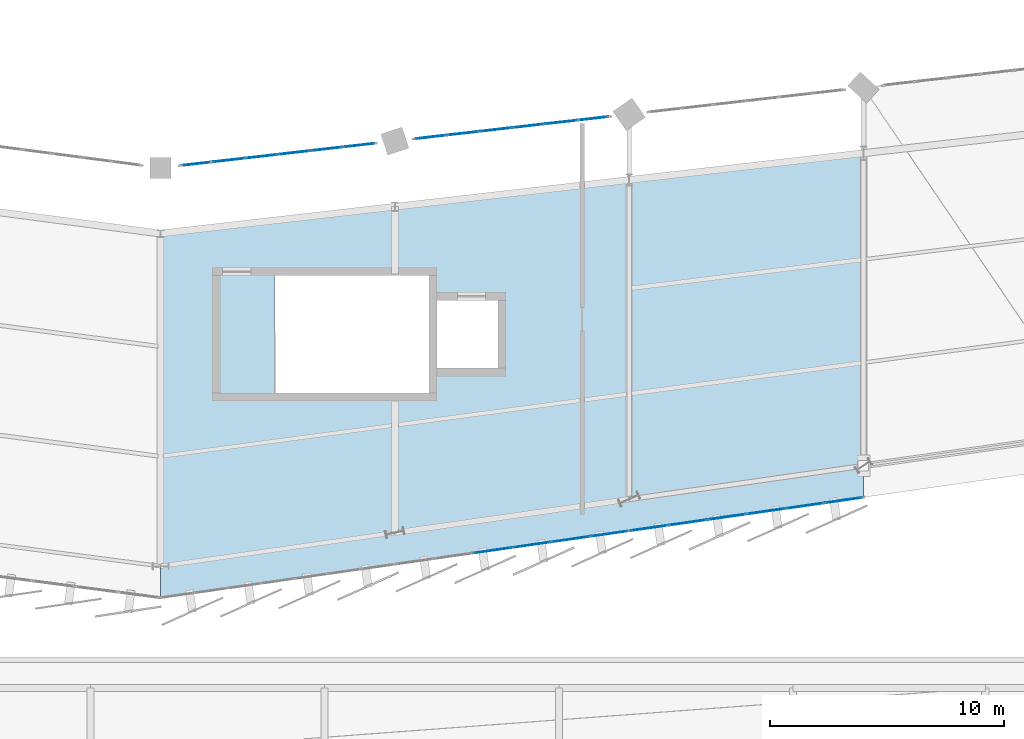
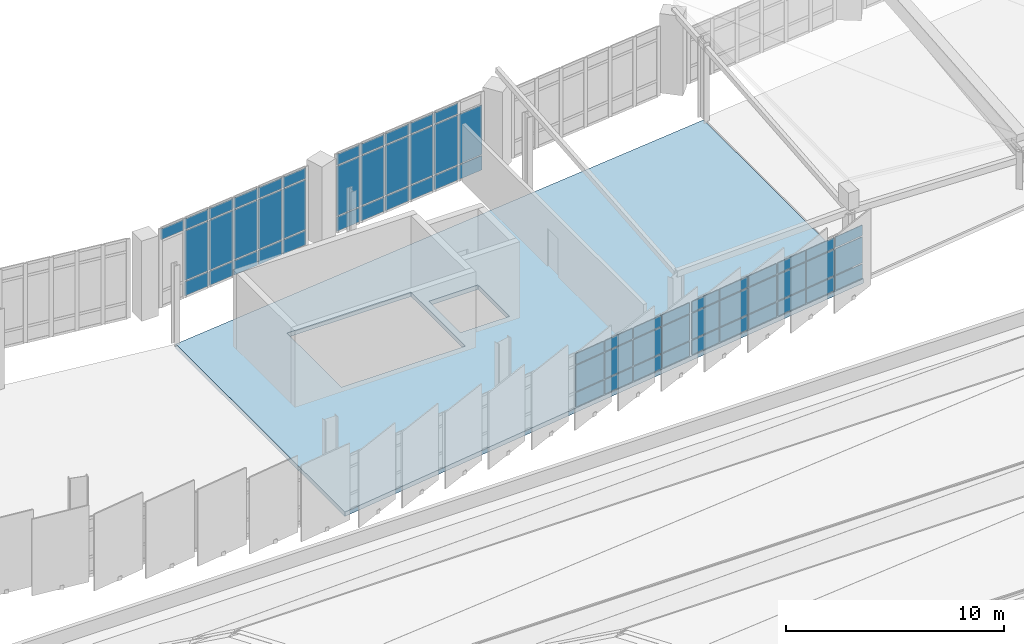
# One storey, part 49 of 67: 63 plates, 1 slab, 4 elements without a shape of their own.
"""IFC4 building model written with IfcOpenShell, lengths in metres."""

import ifcopenshell
import ifcopenshell.guid

model = None  # the IFC model being written
_history = None  # IfcOwnerHistory: only IFC2X3 demands one
_inside = {}  # id of a spatial element -> (the spatial element, [elements in it])
_under = {}  # id of a project, library or spatial element -> (it, [spatial elements below it])
_declared = {}  # id of a project -> (the project, [libraries it declares])
_typed = {}  # id of a type object -> (the type object, [elements of that type])
_made_of = {}  # id of a material, layer set ... -> (it, [elements and type objects made of it])


def new_model(schema):
    """Start an empty IFC model of exactly this schema.

    Asked for "IFC4X3", IfcOpenShell would pick the latest addendum, in which some entities
    have other attributes; the version numbers below select the first issue.
    IFC2X3 requires an IfcOwnerHistory on every rooted entity: one is made here for all.
    """
    global model, _history
    if schema == "IFC4X3":
        model = ifcopenshell.file(schema_version=(4, 3, 0, 0))
    else:
        model = ifcopenshell.file(schema=schema)
    _inside.clear()
    _under.clear()
    _declared.clear()
    _typed.clear()
    _made_of.clear()
    _history = None
    if model.schema == "IFC2X3":
        org = make("IfcOrganization", Name="unknown")
        user = make(
            "IfcPersonAndOrganization",
            ThePerson=make("IfcPerson", FamilyName="unknown"),
            TheOrganization=org,
        )
        app = make(
            "IfcApplication",
            ApplicationDeveloper=org,
            Version="unknown",
            ApplicationFullName="unknown",
            ApplicationIdentifier="unknown",
        )
        _history = make(
            "IfcOwnerHistory",
            OwningUser=user,
            OwningApplication=app,
            ChangeAction="ADDED",
            CreationDate=0,
        )
    return model


def make(cls, **values):
    """One entity of the class cls with the attributes given. An attribute that is None is left unset."""
    return model.create_entity(
        cls, **{name: value for name, value in values.items() if value is not None}
    )


def rooted(cls, **values):
    """An entity with a GlobalId (a new one), such as an element, a storey or a relation."""
    return make(cls, GlobalId=ifcopenshell.guid.new(), OwnerHistory=_history, **values)


def si_unit(unit_type, name, prefix=None):
    """IfcSIUnit, for example si_unit("LENGTHUNIT", "METRE", prefix="MILLI")."""
    return make("IfcSIUnit", UnitType=unit_type, Prefix=prefix, Name=name)


def assignment(units):
    """IfcUnitAssignment: the units of a project."""
    return None if units is None else make("IfcUnitAssignment", Units=units)


def point(xyz):
    """IfcCartesianPoint."""
    return None if xyz is None else make("IfcCartesianPoint", Coordinates=xyz)


def direction(xyz):
    """IfcDirection."""
    return None if xyz is None else make("IfcDirection", DirectionRatios=xyz)


def frame(location, z_axis=None, x_axis=None):
    """IfcAxis2Placement3D, a coordinate frame: its origin and axes. An axis left out is left unset."""
    return make(
        "IfcAxis2Placement3D",
        Location=point(location),
        Axis=direction(z_axis),
        RefDirection=direction(x_axis),
    )


def frame_2d(location, x_axis=None):
    """IfcAxis2Placement2D, a coordinate frame in the plane: its origin and x axis."""
    return make(
        "IfcAxis2Placement2D", Location=point(location), RefDirection=direction(x_axis)
    )


def origin():
    """The frame at (0, 0, 0) with its axes left unset."""
    return frame((0.0, 0.0, 0.0))


def origin_2d():
    """The frame at (0, 0) in the plane with its x axis left unset."""
    return frame_2d((0.0, 0.0))


def place(relative_to, where):
    """IfcLocalPlacement: puts the frame where relative to a parent placement (None: the world)."""
    return make(
        "IfcLocalPlacement", PlacementRelTo=relative_to, RelativePlacement=where
    )


def context(
    kind, dimensions, precision=None, world=None, true_north=None, identifier=None
):
    """IfcGeometricRepresentationContext, for example the 3D "Model" context."""
    return make(
        "IfcGeometricRepresentationContext",
        ContextIdentifier=identifier,
        ContextType=kind,
        CoordinateSpaceDimension=dimensions,
        Precision=precision,
        WorldCoordinateSystem=world,
        TrueNorth=true_north,
    )


def subcontext(parent, identifier, kind, view, scale=None):
    """IfcGeometricRepresentationSubContext, for example "Body" below "Model"."""
    return make(
        "IfcGeometricRepresentationSubContext",
        ContextIdentifier=identifier,
        ContextType=kind,
        ParentContext=parent,
        TargetScale=scale,
        TargetView=view,
    )


def project(units=None, contexts=None):
    """IfcProject with its units and contexts."""
    return rooted(
        "IfcProject",
        Name="project",
        RepresentationContexts=contexts,
        UnitsInContext=assignment(units),
    )


def spatial(cls, under=None, at=None, **own):
    """A site, building, storey or space (cls), placed at a placement, below another one or the project."""
    s = rooted(cls, ObjectPlacement=at, **own)
    if under is not None:
        _under.setdefault(under.id(), (under, []))[1].append(s)
    return s


def polyline(points):
    """IfcPolyline through the points."""
    return make("IfcPolyline", Points=[point(p) for p in points])


def profile(cls, at=None, kind="AREA", **sizes):
    """A parametric profile (cls). Its sizes go by their IFC names, for example OverallWidth=200.0."""
    return make(cls, ProfileType=kind, Position=at, **sizes)


def rectangle(**sizes):
    """IfcRectangleProfileDef."""
    return profile("IfcRectangleProfileDef", **sizes)


def outline(outer, holes=None, kind="AREA"):
    """IfcArbitraryClosedProfileDef: a profile drawn as a closed curve; with holes, ...WithVoids."""
    if holes is None:
        return make("IfcArbitraryClosedProfileDef", ProfileType=kind, OuterCurve=outer)
    return make(
        "IfcArbitraryProfileDefWithVoids",
        ProfileType=kind,
        OuterCurve=outer,
        InnerCurves=holes,
    )


def extrude(swept, where, along, depth):
    """IfcExtrudedAreaSolid: the profile swept, set in the frame where, extruded along a direction by depth."""
    return make(
        "IfcExtrudedAreaSolid",
        SweptArea=swept,
        Position=where,
        ExtrudedDirection=direction(along),
        Depth=depth,
    )


def shape(context_of_items, identifier, shape_type, items):
    """IfcShapeRepresentation: the items that make up one representation, for example the "Body"."""
    return make(
        "IfcShapeRepresentation",
        ContextOfItems=context_of_items,
        RepresentationIdentifier=identifier,
        RepresentationType=shape_type,
        Items=items,
    )


def material(Name=None, Category=None):
    """IfcMaterial."""
    return make("IfcMaterial", Name=Name, Category=Category)


def layer(
    of_material, thickness, ventilated=None, Name=None, Category=None, Priority=None
):
    """IfcMaterialLayer: one layer of a wall or slab, of a material (None: an air gap)."""
    return make(
        "IfcMaterialLayer",
        Material=of_material,
        LayerThickness=thickness,
        IsVentilated=ventilated,
        Name=Name,
        Category=Category,
        Priority=Priority,
    )


def layer_set(layers, Name=None):
    """IfcMaterialLayerSet."""
    return make("IfcMaterialLayerSet", MaterialLayers=layers, LayerSetName=Name)


def made_of(thing, what):
    """Note that an element or type object is made of a material, layer set ...; save() writes the relation."""
    if what is not None:
        _made_of.setdefault(what.id(), (what, []))[1].append(thing)
    return thing


def type_object(cls, material=None, **own):
    """A type object (cls), such as IfcWallType, which elements share."""
    return made_of(rooted(cls, **own), material)


def element(
    cls,
    number,
    at=None,
    inside=None,
    cuts=None,
    type_object=None,
    material=None,
    context=None,
    identifier="Body",
    shape_type=None,
    held_by="IfcProductDefinitionShape",
    body=None,
    shapes=None,
    **own,
):
    """One element of the class cls, such as IfcWall. Its Tag is "e" and its number.

    at: its placement. inside: the storey or other place that contains it. cuts: it is an
    opening in that element (IfcRelVoidsElement). A single representation is given by context,
    identifier, shape_type and body (its items); several are given by shapes. held_by: the class
    of the entity that holds the representations. save() writes the other relations.
    """
    e = rooted(cls, Tag="e%d" % number, ObjectPlacement=at, **own)
    if body is not None:
        shapes = [shape(context, identifier, shape_type, body)]
    if shapes is not None:
        e.Representation = make(held_by, Representations=shapes)
    if inside is not None:
        _inside.setdefault(inside.id(), (inside, []))[1].append(e)
    if cuts is not None:
        rooted(
            "IfcRelVoidsElement", RelatingBuildingElement=cuts, RelatedOpeningElement=e
        )
    if type_object is not None:
        _typed.setdefault(type_object.id(), (type_object, []))[1].append(e)
    return made_of(e, material)


def aggregate(whole, parts):
    """IfcRelAggregates: a whole, such as a stair, and the parts it consists of."""
    return rooted("IfcRelAggregates", RelatingObject=whole, RelatedObjects=parts)


def save(model, path):
    """Write the relations noted so far, then the file.

    IfcRelAggregates (storeys below a building ...), IfcRelContainedInSpatialStructure (elements
    in a storey), IfcRelDefinesByType, IfcRelAssociatesMaterial and IfcRelDeclares: one each for
    every whole, place, type object, material and project.
    """
    for whole, parts in _under.values():
        aggregate(whole, parts)
    for where, things in _inside.values():
        rooted(
            "IfcRelContainedInSpatialStructure",
            RelatedElements=things,
            RelatingStructure=where,
        )
    for kind, things in _typed.values():
        rooted("IfcRelDefinesByType", RelatedObjects=things, RelatingType=kind)
    for what, things in _made_of.values():
        rooted("IfcRelAssociatesMaterial", RelatedObjects=things, RelatingMaterial=what)
    for by, libraries in _declared.values():
        rooted("IfcRelDeclares", RelatingContext=by, RelatedDefinitions=libraries)
    model.write(path)


model = new_model("IFC4")

# Units and contexts
model_context = context("Model", 3, precision=1e-05, world=origin(), true_north=direction((0.0, 1.0)))
body_context = subcontext(model_context, "Body", "Model", "MODEL_VIEW")
ifc_project = project(units=[si_unit("LENGTHUNIT", "METRE"), si_unit("AREAUNIT", "SQUARE_METRE"), si_unit("VOLUMEUNIT", "CUBIC_METRE"), si_unit("PLANEANGLEUNIT", "RADIAN"), si_unit("MASSUNIT", "GRAM", prefix="KILO")], contexts=[model_context])

# Site, building, storey
site_placement = place(None, origin())
site = spatial("IfcSite", under=ifc_project, at=site_placement, CompositionType="ELEMENT")
building_placement = place(site_placement, origin())
building = spatial("IfcBuilding", under=site, at=building_placement, Name="Sohan Crest Arena", CompositionType="ELEMENT")
storey_placement = place(building_placement, frame((0.0, 0.0, 22.5)))
storey = spatial("IfcBuildingStorey", under=building, at=storey_placement, Name="L05", CompositionType="ELEMENT", Elevation=22.5)

# Curtain wall, plates
ifc_material_1 = material(Name="Thermally broken anodised aluminium", Category="aluminium")
ifc_layer_1 = layer(ifc_material_1, 0.199951171875, Name="Thermally broken anodised aluminium")
ifc_layer_set_1 = layer_set([ifc_layer_1], Name="Thermally broken anodised aluminium")
curtain_wall_type_1 = type_object("IfcCurtainWallType", Name="ARC-CW02", PredefinedType="NOTDEFINED", material=ifc_layer_set_1)
curtain_wall_1_placement = place(storey_placement, origin())
curtain_wall_1 = element("IfcCurtainWall", 1, at=curtain_wall_1_placement, inside=storey, type_object=curtain_wall_type_1, Name="Unitised curtain wall CW-159", PredefinedType="NOTDEFINED")
ifc_material_2 = material(Name="Low-E double-glazed insulated glass", Category="glass")
ifc_layer_2 = layer(ifc_material_2, 0.031982421875, Name="Low-E double-glazed insulated glass")
ifc_layer_set_2 = layer_set([ifc_layer_2], Name="Low-E double-glazed insulated glass")
plate_type_1 = type_object("IfcPlateType", Name="ARC-CNP02", PredefinedType="CURTAIN_PANEL", material=ifc_layer_set_2)
plate_1_placement = place(storey_placement, frame((112.166748046875, 30.674072265625, 0.06494140625), z_axis=(0.0, 0.0, 1.0), x_axis=(0.989957411768, 0.141365918403, 0.0)))
plate_1 = element("IfcPlate", 2, at=plate_1_placement, type_object=plate_type_1, Name="CW-159 panel 3.1", PredefinedType="CURTAIN_PANEL", context=body_context, shape_type="SweptSolid", body=[
    extrude(rectangle(XDim=1.61865234375, YDim=0.031982421875, at=origin_2d()), origin(), (0.0, 0.0, 1.0), 0.802490234375),
])
plate_2_placement = place(storey_placement, frame((112.166748046875, 30.674072265625, 0.932373046875), z_axis=(0.0, 0.0, 1.0), x_axis=(0.989957411768, 0.141365918403, 0.0)))
plate_2 = element("IfcPlate", 3, at=plate_2_placement, type_object=plate_type_1, Name="CW-159 panel 3.2", PredefinedType="CURTAIN_PANEL", context=body_context, shape_type="SweptSolid", body=[
    extrude(rectangle(XDim=1.61865234375, YDim=0.031982421875, at=origin_2d()), origin(), (0.0, 0.0, 1.0), 1.455078125),
])
plate_3_placement = place(storey_placement, frame((112.166748046875, 30.674072265625, 2.452392578125), z_axis=(0.0, 0.0, 1.0), x_axis=(0.989957411768, 0.141365918403, 0.0)))
plate_3 = element("IfcPlate", 4, at=plate_3_placement, type_object=plate_type_1, Name="CW-159 panel 3.3", PredefinedType="CURTAIN_PANEL", context=body_context, shape_type="SweptSolid", body=[
    extrude(rectangle(XDim=1.61865234375, YDim=0.031982421875, at=origin_2d()), origin(), (0.0, 0.0, 1.0), 0.6025390625),
])
plate_4_placement = place(storey_placement, frame((113.833251953125, 30.912109375, 0.06494140625), z_axis=(0.0, 0.0, 1.0), x_axis=(0.989957411768, 0.141365918403, 0.0)))
plate_4 = element("IfcPlate", 5, at=plate_4_placement, type_object=plate_type_1, Name="CW-159 panel 4.1", PredefinedType="CURTAIN_PANEL", context=body_context, shape_type="SweptSolid", body=[
    extrude(rectangle(XDim=1.61865234375, YDim=0.031982421875, at=origin_2d()), origin(), (0.0, 0.0, 1.0), 0.802490234375),
])
plate_5_placement = place(storey_placement, frame((113.833251953125, 30.912109375, 0.932373046875), z_axis=(0.0, 0.0, 1.0), x_axis=(0.989957411768, 0.141365918403, 0.0)))
plate_5 = element("IfcPlate", 6, at=plate_5_placement, type_object=plate_type_1, Name="CW-159 panel 4.2", PredefinedType="CURTAIN_PANEL", context=body_context, shape_type="SweptSolid", body=[
    extrude(rectangle(XDim=1.61865234375, YDim=0.031982421875, at=origin_2d()), origin(), (0.0, 0.0, 1.0), 1.455078125),
])
plate_6_placement = place(storey_placement, frame((113.833251953125, 30.912109375, 2.452392578125), z_axis=(0.0, 0.0, 1.0), x_axis=(0.989957411768, 0.141365918403, 0.0)))
plate_6 = element("IfcPlate", 7, at=plate_6_placement, type_object=plate_type_1, Name="CW-159 panel 4.3", PredefinedType="CURTAIN_PANEL", context=body_context, shape_type="SweptSolid", body=[
    extrude(rectangle(XDim=1.61865234375, YDim=0.031982421875, at=origin_2d()), origin(), (0.0, 0.0, 1.0), 0.6025390625),
])
plate_7_placement = place(storey_placement, frame((115.5, 31.14990234375, 0.06494140625), z_axis=(0.0, 0.0, 1.0), x_axis=(0.989957411768, 0.141365918403, 0.0)))
plate_7 = element("IfcPlate", 8, at=plate_7_placement, type_object=plate_type_1, Name="CW-159 panel 5.1", PredefinedType="CURTAIN_PANEL", context=body_context, shape_type="SweptSolid", body=[
    extrude(rectangle(XDim=1.61865234375, YDim=0.031982421875, at=origin_2d()), origin(), (0.0, 0.0, 1.0), 0.802490234375),
])
plate_8_placement = place(storey_placement, frame((115.5, 31.14990234375, 0.932373046875), z_axis=(0.0, 0.0, 1.0), x_axis=(0.989957411768, 0.141365918403, 0.0)))
plate_8 = element("IfcPlate", 9, at=plate_8_placement, type_object=plate_type_1, Name="CW-159 panel 5.2", PredefinedType="CURTAIN_PANEL", context=body_context, shape_type="SweptSolid", body=[
    extrude(rectangle(XDim=1.61865234375, YDim=0.031982421875, at=origin_2d()), origin(), (0.0, 0.0, 1.0), 1.455078125),
])
plate_9_placement = place(storey_placement, frame((115.5, 31.14990234375, 2.452392578125), z_axis=(0.0, 0.0, 1.0), x_axis=(0.989957411768, 0.141365918403, 0.0)))
plate_9 = element("IfcPlate", 10, at=plate_9_placement, type_object=plate_type_1, Name="CW-159 panel 5.3", PredefinedType="CURTAIN_PANEL", context=body_context, shape_type="SweptSolid", body=[
    extrude(rectangle(XDim=1.61865234375, YDim=0.031982421875, at=origin_2d()), origin(), (0.0, 0.0, 1.0), 0.6025390625),
])
plate_10_placement = place(storey_placement, frame((117.150634765625, 31.3857421875, 0.06494140625), z_axis=(0.0, 0.0, 1.0), x_axis=(0.989957411768, 0.141365918403, 0.0)))
plate_10 = element("IfcPlate", 11, at=plate_10_placement, type_object=plate_type_1, Name="CW-159 panel 6.1", PredefinedType="CURTAIN_PANEL", context=body_context, shape_type="SweptSolid", body=[
    extrude(rectangle(XDim=1.586181640625, YDim=0.031982421875, at=origin_2d()), origin(), (0.0, 0.0, 1.0), 0.802490234375),
])
plate_11_placement = place(storey_placement, frame((117.150634765625, 31.3857421875, 0.932373046875), z_axis=(0.0, 0.0, 1.0), x_axis=(0.989957411768, 0.141365918403, 0.0)))
plate_11 = element("IfcPlate", 12, at=plate_11_placement, type_object=plate_type_1, Name="CW-159 panel 6.2", PredefinedType="CURTAIN_PANEL", context=body_context, shape_type="SweptSolid", body=[
    extrude(rectangle(XDim=1.586181640625, YDim=0.031982421875, at=origin_2d()), origin(), (0.0, 0.0, 1.0), 1.455078125),
])
plate_12_placement = place(storey_placement, frame((117.150634765625, 31.3857421875, 2.452392578125), z_axis=(0.0, 0.0, 1.0), x_axis=(0.989957411768, 0.141365918403, 0.0)))
plate_12 = element("IfcPlate", 13, at=plate_12_placement, type_object=plate_type_1, Name="CW-159 panel 6.3", PredefinedType="CURTAIN_PANEL", context=body_context, shape_type="SweptSolid", body=[
    extrude(rectangle(XDim=1.586181640625, YDim=0.031982421875, at=origin_2d()), origin(), (0.0, 0.0, 1.0), 0.6025390625),
])
aggregate(curtain_wall_1, [plate_1, plate_2, plate_3, plate_4, plate_5, plate_6, plate_7, plate_8, plate_9, plate_10, plate_11, plate_12])

ifc_layer_3 = layer(ifc_material_1, 0.219970703125, Name="Thermally broken anodised aluminium")
ifc_layer_set_3 = layer_set([ifc_layer_3], Name="Thermally broken anodised aluminium")
curtain_wall_type_2 = type_object("IfcCurtainWallType", Name="ARC-CW03", PredefinedType="NOTDEFINED", material=ifc_layer_set_3)
curtain_wall_2_placement = place(storey_placement, origin())
curtain_wall_2 = element("IfcCurtainWall", 14, at=curtain_wall_2_placement, inside=storey, type_object=curtain_wall_type_2, Name="Unitised curtain wall CW-160", PredefinedType="NOTDEFINED")
ifc_material_3 = material(Name="Ceramic-fritted solar-control insulated glass", Category="glass")
ifc_layer_4 = layer(ifc_material_3, 0.035888671875, Name="Ceramic-fritted solar-control insulated glass")
ifc_layer_set_4 = layer_set([ifc_layer_4], Name="Ceramic-fritted solar-control insulated glass")
plate_type_2 = type_object("IfcPlateType", Name="ARC-CNP03", PredefinedType="CURTAIN_PANEL", material=ifc_layer_set_4)
plate_13_placement = place(storey_placement, frame((118.8505859375, 31.628662109375, 0.070068359375), z_axis=(0.0, 0.0, 1.0), x_axis=(0.989943553128, 0.141462933734, 0.0)))
plate_13 = element("IfcPlate", 15, at=plate_13_placement, type_object=plate_type_2, Name="CW-160 panel 1.1", PredefinedType="CURTAIN_PANEL", context=body_context, shape_type="SweptSolid", body=[
    extrude(rectangle(XDim=1.57861328125, YDim=0.035888671875, at=origin_2d()), origin(), (0.0, 0.0, 1.0), 0.794921875),
])
plate_14_placement = place(storey_placement, frame((118.8505859375, 31.628662109375, 0.93505859375), z_axis=(0.0, 0.0, 1.0), x_axis=(0.989943553128, 0.141462933734, 0.0)))
plate_14 = element("IfcPlate", 16, at=plate_14_placement, type_object=plate_type_2, Name="CW-160 panel 1.2", PredefinedType="CURTAIN_PANEL", context=body_context, shape_type="SweptSolid", body=[
    extrude(rectangle(XDim=1.57861328125, YDim=0.035888671875, at=origin_2d()), origin(), (0.0, 0.0, 1.0), 1.449951171875),
])
plate_15_placement = place(storey_placement, frame((118.8505859375, 31.628662109375, 2.455078125), z_axis=(0.0, 0.0, 1.0), x_axis=(0.989943553128, 0.141462933734, 0.0)))
plate_15 = element("IfcPlate", 17, at=plate_15_placement, type_object=plate_type_2, Name="CW-160 panel 1.3", PredefinedType="CURTAIN_PANEL", context=body_context, shape_type="SweptSolid", body=[
    extrude(rectangle(XDim=1.57861328125, YDim=0.035888671875, at=origin_2d()), origin(), (0.0, 0.0, 1.0), 0.594970703125),
])
plate_16_placement = place(storey_placement, frame((120.5, 31.8642578125, 0.070068359375), z_axis=(0.0, 0.0, 1.0), x_axis=(0.989943553128, 0.141462933734, 0.0)))
plate_16 = element("IfcPlate", 18, at=plate_16_placement, type_object=plate_type_2, Name="CW-160 panel 2.1", PredefinedType="CURTAIN_PANEL", context=body_context, shape_type="SweptSolid", body=[
    extrude(rectangle(XDim=1.613525390625, YDim=0.035888671875, at=origin_2d()), origin(), (0.0, 0.0, 1.0), 0.794921875),
])
plate_17_placement = place(storey_placement, frame((120.5, 31.8642578125, 0.93505859375), z_axis=(0.0, 0.0, 1.0), x_axis=(0.989943553128, 0.141462933734, 0.0)))
plate_17 = element("IfcPlate", 19, at=plate_17_placement, type_object=plate_type_2, Name="CW-160 panel 2.2", PredefinedType="CURTAIN_PANEL", context=body_context, shape_type="SweptSolid", body=[
    extrude(rectangle(XDim=1.613525390625, YDim=0.035888671875, at=origin_2d()), origin(), (0.0, 0.0, 1.0), 1.449951171875),
])
plate_18_placement = place(storey_placement, frame((120.5, 31.8642578125, 2.455078125), z_axis=(0.0, 0.0, 1.0), x_axis=(0.989943553128, 0.141462933734, 0.0)))
plate_18 = element("IfcPlate", 20, at=plate_18_placement, type_object=plate_type_2, Name="CW-160 panel 2.3", PredefinedType="CURTAIN_PANEL", context=body_context, shape_type="SweptSolid", body=[
    extrude(rectangle(XDim=1.613525390625, YDim=0.035888671875, at=origin_2d()), origin(), (0.0, 0.0, 1.0), 0.594970703125),
])
plate_19_placement = place(storey_placement, frame((122.166748046875, 32.102294921875, 0.070068359375), z_axis=(0.0, 0.0, 1.0), x_axis=(0.989943553128, 0.141462933734, 0.0)))
plate_19 = element("IfcPlate", 21, at=plate_19_placement, type_object=plate_type_2, Name="CW-160 panel 3.1", PredefinedType="CURTAIN_PANEL", context=body_context, shape_type="SweptSolid", body=[
    extrude(rectangle(XDim=1.613525390625, YDim=0.035888671875, at=origin_2d()), origin(), (0.0, 0.0, 1.0), 0.794921875),
])
plate_20_placement = place(storey_placement, frame((122.166748046875, 32.102294921875, 0.93505859375), z_axis=(0.0, 0.0, 1.0), x_axis=(0.989943553128, 0.141462933734, 0.0)))
plate_20 = element("IfcPlate", 22, at=plate_20_placement, type_object=plate_type_2, Name="CW-160 panel 3.2", PredefinedType="CURTAIN_PANEL", context=body_context, shape_type="SweptSolid", body=[
    extrude(rectangle(XDim=1.613525390625, YDim=0.035888671875, at=origin_2d()), origin(), (0.0, 0.0, 1.0), 1.449951171875),
])
plate_21_placement = place(storey_placement, frame((122.166748046875, 32.102294921875, 2.455078125), z_axis=(0.0, 0.0, 1.0), x_axis=(0.989943553128, 0.141462933734, 0.0)))
plate_21 = element("IfcPlate", 23, at=plate_21_placement, type_object=plate_type_2, Name="CW-160 panel 3.3", PredefinedType="CURTAIN_PANEL", context=body_context, shape_type="SweptSolid", body=[
    extrude(rectangle(XDim=1.613525390625, YDim=0.035888671875, at=origin_2d()), origin(), (0.0, 0.0, 1.0), 0.594970703125),
])
plate_22_placement = place(storey_placement, frame((123.833251953125, 32.340576171875, 0.070068359375), z_axis=(0.0, 0.0, 1.0), x_axis=(0.989943553128, 0.141462933734, 0.0)))
plate_22 = element("IfcPlate", 24, at=plate_22_placement, type_object=plate_type_2, Name="CW-160 panel 4.1", PredefinedType="CURTAIN_PANEL", context=body_context, shape_type="SweptSolid", body=[
    extrude(rectangle(XDim=1.613525390625, YDim=0.035888671875, at=origin_2d()), origin(), (0.0, 0.0, 1.0), 0.794921875),
])
plate_23_placement = place(storey_placement, frame((123.833251953125, 32.340576171875, 0.93505859375), z_axis=(0.0, 0.0, 1.0), x_axis=(0.989943553128, 0.141462933734, 0.0)))
plate_23 = element("IfcPlate", 25, at=plate_23_placement, type_object=plate_type_2, Name="CW-160 panel 4.2", PredefinedType="CURTAIN_PANEL", context=body_context, shape_type="SweptSolid", body=[
    extrude(rectangle(XDim=1.613525390625, YDim=0.035888671875, at=origin_2d()), origin(), (0.0, 0.0, 1.0), 1.449951171875),
])
plate_24_placement = place(storey_placement, frame((123.833251953125, 32.340576171875, 2.455078125), z_axis=(0.0, 0.0, 1.0), x_axis=(0.989943553128, 0.141462933734, 0.0)))
plate_24 = element("IfcPlate", 26, at=plate_24_placement, type_object=plate_type_2, Name="CW-160 panel 4.3", PredefinedType="CURTAIN_PANEL", context=body_context, shape_type="SweptSolid", body=[
    extrude(rectangle(XDim=1.613525390625, YDim=0.035888671875, at=origin_2d()), origin(), (0.0, 0.0, 1.0), 0.594970703125),
])
plate_25_placement = place(storey_placement, frame((125.5, 32.578857421875, 0.070068359375), z_axis=(0.0, 0.0, 1.0), x_axis=(0.989943553128, 0.141462933734, 0.0)))
plate_25 = element("IfcPlate", 27, at=plate_25_placement, type_object=plate_type_2, Name="CW-160 panel 5.1", PredefinedType="CURTAIN_PANEL", context=body_context, shape_type="SweptSolid", body=[
    extrude(rectangle(XDim=1.613525390625, YDim=0.035888671875, at=origin_2d()), origin(), (0.0, 0.0, 1.0), 0.794921875),
])
plate_26_placement = place(storey_placement, frame((125.5, 32.578857421875, 0.93505859375), z_axis=(0.0, 0.0, 1.0), x_axis=(0.989943553128, 0.141462933734, 0.0)))
plate_26 = element("IfcPlate", 28, at=plate_26_placement, type_object=plate_type_2, Name="CW-160 panel 5.2", PredefinedType="CURTAIN_PANEL", context=body_context, shape_type="SweptSolid", body=[
    extrude(rectangle(XDim=1.613525390625, YDim=0.035888671875, at=origin_2d()), origin(), (0.0, 0.0, 1.0), 1.449951171875),
])
plate_27_placement = place(storey_placement, frame((125.5, 32.578857421875, 2.455078125), z_axis=(0.0, 0.0, 1.0), x_axis=(0.989943553128, 0.141462933734, 0.0)))
plate_27 = element("IfcPlate", 29, at=plate_27_placement, type_object=plate_type_2, Name="CW-160 panel 5.3", PredefinedType="CURTAIN_PANEL", context=body_context, shape_type="SweptSolid", body=[
    extrude(rectangle(XDim=1.613525390625, YDim=0.035888671875, at=origin_2d()), origin(), (0.0, 0.0, 1.0), 0.594970703125),
])
plate_28_placement = place(storey_placement, frame((127.1494140625, 32.814453125, 0.070068359375), z_axis=(0.0, 0.0, 1.0), x_axis=(0.989943553128, 0.141462933734, 0.0)))
plate_28 = element("IfcPlate", 30, at=plate_28_placement, type_object=plate_type_2, Name="CW-160 panel 6.1", PredefinedType="CURTAIN_PANEL", context=body_context, shape_type="SweptSolid", body=[
    extrude(rectangle(XDim=1.57861328125, YDim=0.035888671875, at=origin_2d()), origin(), (0.0, 0.0, 1.0), 0.794921875),
])
plate_29_placement = place(storey_placement, frame((127.1494140625, 32.814453125, 0.93505859375), z_axis=(0.0, 0.0, 1.0), x_axis=(0.989943553128, 0.141462933734, 0.0)))
plate_29 = element("IfcPlate", 31, at=plate_29_placement, type_object=plate_type_2, Name="CW-160 panel 6.2", PredefinedType="CURTAIN_PANEL", context=body_context, shape_type="SweptSolid", body=[
    extrude(rectangle(XDim=1.57861328125, YDim=0.035888671875, at=origin_2d()), origin(), (0.0, 0.0, 1.0), 1.449951171875),
])
plate_30_placement = place(storey_placement, frame((127.1494140625, 32.814453125, 2.455078125), z_axis=(0.0, 0.0, 1.0), x_axis=(0.989943553128, 0.141462933734, 0.0)))
plate_30 = element("IfcPlate", 32, at=plate_30_placement, type_object=plate_type_2, Name="CW-160 panel 6.3", PredefinedType="CURTAIN_PANEL", context=body_context, shape_type="SweptSolid", body=[
    extrude(rectangle(XDim=1.57861328125, YDim=0.035888671875, at=origin_2d()), origin(), (0.0, 0.0, 1.0), 0.594970703125),
])
aggregate(curtain_wall_2, [plate_13, plate_14, plate_15, plate_16, plate_17, plate_18, plate_19, plate_20, plate_21, plate_22, plate_23, plate_24, plate_25, plate_26, plate_27, plate_28, plate_29, plate_30])

ifc_layer_5 = layer(ifc_material_1, 0.18994140625, Name="Thermally broken anodised aluminium")
ifc_layer_set_5 = layer_set([ifc_layer_5], Name="Thermally broken anodised aluminium")
curtain_wall_type_3 = type_object("IfcCurtainWallType", Name="ARC-CW05", PredefinedType="NOTDEFINED", material=ifc_layer_set_5)
curtain_wall_3_placement = place(storey_placement, origin())
curtain_wall_3 = element("IfcCurtainWall", 33, at=curtain_wall_3_placement, inside=storey, type_object=curtain_wall_type_3, Name="Unitised curtain wall CW-188", PredefinedType="NOTDEFINED")
plate_31_placement = place(storey_placement, frame((99.52978515625, 47.1748046875, 3.782470703125), z_axis=(0.0, 0.0, 1.0), x_axis=(0.993526932422, 0.11359680696, 0.0)))
plate_31 = element("IfcPlate", 34, at=plate_31_placement, type_object=plate_type_2, Name="CW-188 panel 1.3", PredefinedType="CURTAIN_PANEL", context=body_context, shape_type="SweptSolid", body=[
    extrude(rectangle(XDim=1.299072265625, YDim=0.035888671875, at=origin_2d()), origin(), (0.0, 0.0, 1.0), 0.6025390625),
])
plate_32_placement = place(storey_placement, frame((100.907470703125, 47.332275390625, 0.06494140625), z_axis=(0.0, 0.0, 1.0), x_axis=(0.993526932422, 0.11359680696, 0.0)))
plate_32 = element("IfcPlate", 35, at=plate_32_placement, type_object=plate_type_2, Name="CW-188 panel 2.1", PredefinedType="CURTAIN_PANEL", context=body_context, shape_type="SweptSolid", body=[
    extrude(rectangle(XDim=1.333984375, YDim=0.035888671875, at=origin_2d()), origin(), (0.0, 0.0, 1.0), 0.802490234375),
])
plate_33_placement = place(storey_placement, frame((100.907470703125, 47.332275390625, 0.9326171875), z_axis=(0.0, 0.0, 1.0), x_axis=(0.993526932422, 0.11359680696, 0.0)))
plate_33 = element("IfcPlate", 36, at=plate_33_placement, type_object=plate_type_2, Name="CW-188 panel 2.2", PredefinedType="CURTAIN_PANEL", context=body_context, shape_type="SweptSolid", body=[
    extrude(rectangle(XDim=1.333984375, YDim=0.035888671875, at=origin_2d()), origin(), (0.0, 0.0, 1.0), 2.784912109375),
])
plate_34_placement = place(storey_placement, frame((100.907470703125, 47.332275390625, 3.782470703125), z_axis=(0.0, 0.0, 1.0), x_axis=(0.993526932422, 0.11359680696, 0.0)))
plate_34 = element("IfcPlate", 37, at=plate_34_placement, type_object=plate_type_2, Name="CW-188 panel 2.3", PredefinedType="CURTAIN_PANEL", context=body_context, shape_type="SweptSolid", body=[
    extrude(rectangle(XDim=1.333984375, YDim=0.035888671875, at=origin_2d()), origin(), (0.0, 0.0, 1.0), 0.6025390625),
])
plate_35_placement = place(storey_placement, frame((102.302490234375, 47.49169921875, 0.06494140625), z_axis=(0.0, 0.0, 1.0), x_axis=(0.993526932422, 0.11359680696, 0.0)))
plate_35 = element("IfcPlate", 38, at=plate_35_placement, type_object=plate_type_2, Name="CW-188 panel 3.1", PredefinedType="CURTAIN_PANEL", context=body_context, shape_type="SweptSolid", body=[
    extrude(rectangle(XDim=1.333984375, YDim=0.035888671875, at=origin_2d()), origin(), (0.0, 0.0, 1.0), 0.802490234375),
])
plate_36_placement = place(storey_placement, frame((102.302490234375, 47.49169921875, 0.9326171875), z_axis=(0.0, 0.0, 1.0), x_axis=(0.993526932422, 0.11359680696, 0.0)))
plate_36 = element("IfcPlate", 39, at=plate_36_placement, type_object=plate_type_2, Name="CW-188 panel 3.2", PredefinedType="CURTAIN_PANEL", context=body_context, shape_type="SweptSolid", body=[
    extrude(rectangle(XDim=1.333984375, YDim=0.035888671875, at=origin_2d()), origin(), (0.0, 0.0, 1.0), 2.784912109375),
])
plate_37_placement = place(storey_placement, frame((102.302490234375, 47.49169921875, 3.782470703125), z_axis=(0.0, 0.0, 1.0), x_axis=(0.993526932422, 0.11359680696, 0.0)))
plate_37 = element("IfcPlate", 40, at=plate_37_placement, type_object=plate_type_2, Name="CW-188 panel 3.3", PredefinedType="CURTAIN_PANEL", context=body_context, shape_type="SweptSolid", body=[
    extrude(rectangle(XDim=1.333984375, YDim=0.035888671875, at=origin_2d()), origin(), (0.0, 0.0, 1.0), 0.6025390625),
])
plate_38_placement = place(storey_placement, frame((103.697509765625, 47.6513671875, 0.06494140625), z_axis=(0.0, 0.0, 1.0), x_axis=(0.993526932422, 0.11359680696, 0.0)))
plate_38 = element("IfcPlate", 41, at=plate_38_placement, type_object=plate_type_2, Name="CW-188 panel 4.1", PredefinedType="CURTAIN_PANEL", context=body_context, shape_type="SweptSolid", body=[
    extrude(rectangle(XDim=1.333984375, YDim=0.035888671875, at=origin_2d()), origin(), (0.0, 0.0, 1.0), 0.802490234375),
])
plate_39_placement = place(storey_placement, frame((103.697509765625, 47.6513671875, 0.9326171875), z_axis=(0.0, 0.0, 1.0), x_axis=(0.993526932422, 0.11359680696, 0.0)))
plate_39 = element("IfcPlate", 42, at=plate_39_placement, type_object=plate_type_2, Name="CW-188 panel 4.2", PredefinedType="CURTAIN_PANEL", context=body_context, shape_type="SweptSolid", body=[
    extrude(rectangle(XDim=1.333984375, YDim=0.035888671875, at=origin_2d()), origin(), (0.0, 0.0, 1.0), 2.784912109375),
])
plate_40_placement = place(storey_placement, frame((103.697509765625, 47.6513671875, 3.782470703125), z_axis=(0.0, 0.0, 1.0), x_axis=(0.993526932422, 0.11359680696, 0.0)))
plate_40 = element("IfcPlate", 43, at=plate_40_placement, type_object=plate_type_2, Name="CW-188 panel 4.3", PredefinedType="CURTAIN_PANEL", context=body_context, shape_type="SweptSolid", body=[
    extrude(rectangle(XDim=1.333984375, YDim=0.035888671875, at=origin_2d()), origin(), (0.0, 0.0, 1.0), 0.6025390625),
])
plate_41_placement = place(storey_placement, frame((105.092529296875, 47.810791015625, 0.06494140625), z_axis=(0.0, 0.0, 1.0), x_axis=(0.993526932422, 0.11359680696, 0.0)))
plate_41 = element("IfcPlate", 44, at=plate_41_placement, type_object=plate_type_2, Name="CW-188 panel 5.1", PredefinedType="CURTAIN_PANEL", context=body_context, shape_type="SweptSolid", body=[
    extrude(rectangle(XDim=1.333984375, YDim=0.035888671875, at=origin_2d()), origin(), (0.0, 0.0, 1.0), 0.802490234375),
])
plate_42_placement = place(storey_placement, frame((105.092529296875, 47.810791015625, 0.9326171875), z_axis=(0.0, 0.0, 1.0), x_axis=(0.993526932422, 0.11359680696, 0.0)))
plate_42 = element("IfcPlate", 45, at=plate_42_placement, type_object=plate_type_2, Name="CW-188 panel 5.2", PredefinedType="CURTAIN_PANEL", context=body_context, shape_type="SweptSolid", body=[
    extrude(rectangle(XDim=1.333984375, YDim=0.035888671875, at=origin_2d()), origin(), (0.0, 0.0, 1.0), 2.784912109375),
])
plate_43_placement = place(storey_placement, frame((105.092529296875, 47.810791015625, 3.782470703125), z_axis=(0.0, 0.0, 1.0), x_axis=(0.993526932422, 0.11359680696, 0.0)))
plate_43 = element("IfcPlate", 46, at=plate_43_placement, type_object=plate_type_2, Name="CW-188 panel 5.3", PredefinedType="CURTAIN_PANEL", context=body_context, shape_type="SweptSolid", body=[
    extrude(rectangle(XDim=1.333984375, YDim=0.035888671875, at=origin_2d()), origin(), (0.0, 0.0, 1.0), 0.6025390625),
])
plate_44_placement = place(storey_placement, frame((106.47021484375, 47.96826171875, 0.06494140625), z_axis=(0.0, 0.0, 1.0), x_axis=(0.993526932422, 0.11359680696, 0.0)))
plate_44 = element("IfcPlate", 47, at=plate_44_placement, type_object=plate_type_2, Name="CW-188 panel 6.1", PredefinedType="CURTAIN_PANEL", context=body_context, shape_type="SweptSolid", body=[
    extrude(rectangle(XDim=1.299072265625, YDim=0.035888671875, at=origin_2d()), origin(), (0.0, 0.0, 1.0), 0.802490234375),
])
plate_45_placement = place(storey_placement, frame((106.47021484375, 47.96826171875, 0.9326171875), z_axis=(0.0, 0.0, 1.0), x_axis=(0.993526932422, 0.11359680696, 0.0)))
plate_45 = element("IfcPlate", 48, at=plate_45_placement, type_object=plate_type_2, Name="CW-188 panel 6.2", PredefinedType="CURTAIN_PANEL", context=body_context, shape_type="SweptSolid", body=[
    extrude(rectangle(XDim=1.299072265625, YDim=0.035888671875, at=origin_2d()), origin(), (0.0, 0.0, 1.0), 2.784912109375),
])
plate_46_placement = place(storey_placement, frame((106.47021484375, 47.96826171875, 3.782470703125), z_axis=(0.0, 0.0, 1.0), x_axis=(0.993526932422, 0.11359680696, 0.0)))
plate_46 = element("IfcPlate", 49, at=plate_46_placement, type_object=plate_type_2, Name="CW-188 panel 6.3", PredefinedType="CURTAIN_PANEL", context=body_context, shape_type="SweptSolid", body=[
    extrude(rectangle(XDim=1.299072265625, YDim=0.035888671875, at=origin_2d()), origin(), (0.0, 0.0, 1.0), 0.6025390625),
])
aggregate(curtain_wall_3, [plate_31, plate_32, plate_33, plate_34, plate_35, plate_36, plate_37, plate_38, plate_39, plate_40, plate_41, plate_42, plate_43, plate_44, plate_45, plate_46])

curtain_wall_4_placement = place(storey_placement, origin())
curtain_wall_4 = element("IfcCurtainWall", 50, at=curtain_wall_4_placement, inside=storey, type_object=curtain_wall_type_3, Name="Unitised curtain wall CW-190", PredefinedType="NOTDEFINED")
plate_47_placement = place(storey_placement, frame((109.52978515625, 48.317626953125, 0.06494140625), z_axis=(0.0, 0.0, 1.0), x_axis=(0.993526932422, 0.11359680696, 0.0)))
plate_47 = element("IfcPlate", 51, at=plate_47_placement, type_object=plate_type_2, Name="CW-190 panel 1.1", PredefinedType="CURTAIN_PANEL", context=body_context, shape_type="SweptSolid", body=[
    extrude(rectangle(XDim=1.299072265625, YDim=0.035888671875, at=origin_2d()), origin(), (0.0, 0.0, 1.0), 0.802490234375),
])
plate_48_placement = place(storey_placement, frame((109.52978515625, 48.317626953125, 0.9326171875), z_axis=(0.0, 0.0, 1.0), x_axis=(0.993526932422, 0.11359680696, 0.0)))
plate_48 = element("IfcPlate", 52, at=plate_48_placement, type_object=plate_type_2, Name="CW-190 panel 1.2", PredefinedType="CURTAIN_PANEL", context=body_context, shape_type="SweptSolid", body=[
    extrude(rectangle(XDim=1.299072265625, YDim=0.035888671875, at=origin_2d()), origin(), (0.0, 0.0, 1.0), 2.784912109375),
])
plate_49_placement = place(storey_placement, frame((109.52978515625, 48.317626953125, 3.782470703125), z_axis=(0.0, 0.0, 1.0), x_axis=(0.993526932422, 0.11359680696, 0.0)))
plate_49 = element("IfcPlate", 53, at=plate_49_placement, type_object=plate_type_2, Name="CW-190 panel 1.3", PredefinedType="CURTAIN_PANEL", context=body_context, shape_type="SweptSolid", body=[
    extrude(rectangle(XDim=1.299072265625, YDim=0.035888671875, at=origin_2d()), origin(), (0.0, 0.0, 1.0), 0.6025390625),
])
plate_50_placement = place(storey_placement, frame((110.907470703125, 48.475341796875, 0.06494140625), z_axis=(0.0, 0.0, 1.0), x_axis=(0.993526932422, 0.11359680696, 0.0)))
plate_50 = element("IfcPlate", 54, at=plate_50_placement, type_object=plate_type_2, Name="CW-190 panel 2.1", PredefinedType="CURTAIN_PANEL", context=body_context, shape_type="SweptSolid", body=[
    extrude(rectangle(XDim=1.333984375, YDim=0.035888671875, at=origin_2d()), origin(), (0.0, 0.0, 1.0), 0.802490234375),
])
plate_51_placement = place(storey_placement, frame((110.907470703125, 48.475341796875, 0.9326171875), z_axis=(0.0, 0.0, 1.0), x_axis=(0.993526932422, 0.11359680696, 0.0)))
plate_51 = element("IfcPlate", 55, at=plate_51_placement, type_object=plate_type_2, Name="CW-190 panel 2.2", PredefinedType="CURTAIN_PANEL", context=body_context, shape_type="SweptSolid", body=[
    extrude(rectangle(XDim=1.333984375, YDim=0.035888671875, at=origin_2d()), origin(), (0.0, 0.0, 1.0), 2.784912109375),
])
plate_52_placement = place(storey_placement, frame((110.907470703125, 48.475341796875, 3.782470703125), z_axis=(0.0, 0.0, 1.0), x_axis=(0.993526932422, 0.11359680696, 0.0)))
plate_52 = element("IfcPlate", 56, at=plate_52_placement, type_object=plate_type_2, Name="CW-190 panel 2.3", PredefinedType="CURTAIN_PANEL", context=body_context, shape_type="SweptSolid", body=[
    extrude(rectangle(XDim=1.333984375, YDim=0.035888671875, at=origin_2d()), origin(), (0.0, 0.0, 1.0), 0.6025390625),
])
plate_53_placement = place(storey_placement, frame((112.302490234375, 48.634765625, 0.06494140625), z_axis=(0.0, 0.0, 1.0), x_axis=(0.993526932422, 0.11359680696, 0.0)))
plate_53 = element("IfcPlate", 57, at=plate_53_placement, type_object=plate_type_2, Name="CW-190 panel 3.1", PredefinedType="CURTAIN_PANEL", context=body_context, shape_type="SweptSolid", body=[
    extrude(rectangle(XDim=1.333984375, YDim=0.035888671875, at=origin_2d()), origin(), (0.0, 0.0, 1.0), 0.802490234375),
])
plate_54_placement = place(storey_placement, frame((112.302490234375, 48.634765625, 0.9326171875), z_axis=(0.0, 0.0, 1.0), x_axis=(0.993526932422, 0.11359680696, 0.0)))
plate_54 = element("IfcPlate", 58, at=plate_54_placement, type_object=plate_type_2, Name="CW-190 panel 3.2", PredefinedType="CURTAIN_PANEL", context=body_context, shape_type="SweptSolid", body=[
    extrude(rectangle(XDim=1.333984375, YDim=0.035888671875, at=origin_2d()), origin(), (0.0, 0.0, 1.0), 2.784912109375),
])
plate_55_placement = place(storey_placement, frame((112.302490234375, 48.634765625, 3.782470703125), z_axis=(0.0, 0.0, 1.0), x_axis=(0.993526932422, 0.11359680696, 0.0)))
plate_55 = element("IfcPlate", 59, at=plate_55_placement, type_object=plate_type_2, Name="CW-190 panel 3.3", PredefinedType="CURTAIN_PANEL", context=body_context, shape_type="SweptSolid", body=[
    extrude(rectangle(XDim=1.333984375, YDim=0.035888671875, at=origin_2d()), origin(), (0.0, 0.0, 1.0), 0.6025390625),
])
plate_56_placement = place(storey_placement, frame((113.697509765625, 48.794189453125, 0.06494140625), z_axis=(0.0, 0.0, 1.0), x_axis=(0.993526932422, 0.11359680696, 0.0)))
plate_56 = element("IfcPlate", 60, at=plate_56_placement, type_object=plate_type_2, Name="CW-190 panel 4.1", PredefinedType="CURTAIN_PANEL", context=body_context, shape_type="SweptSolid", body=[
    extrude(rectangle(XDim=1.333984375, YDim=0.035888671875, at=origin_2d()), origin(), (0.0, 0.0, 1.0), 0.802490234375),
])
plate_57_placement = place(storey_placement, frame((113.697509765625, 48.794189453125, 0.9326171875), z_axis=(0.0, 0.0, 1.0), x_axis=(0.993526932422, 0.11359680696, 0.0)))
plate_57 = element("IfcPlate", 61, at=plate_57_placement, type_object=plate_type_2, Name="CW-190 panel 4.2", PredefinedType="CURTAIN_PANEL", context=body_context, shape_type="SweptSolid", body=[
    extrude(rectangle(XDim=1.333984375, YDim=0.035888671875, at=origin_2d()), origin(), (0.0, 0.0, 1.0), 2.784912109375),
])
plate_58_placement = place(storey_placement, frame((113.697509765625, 48.794189453125, 3.782470703125), z_axis=(0.0, 0.0, 1.0), x_axis=(0.993526932422, 0.11359680696, 0.0)))
plate_58 = element("IfcPlate", 62, at=plate_58_placement, type_object=plate_type_2, Name="CW-190 panel 4.3", PredefinedType="CURTAIN_PANEL", context=body_context, shape_type="SweptSolid", body=[
    extrude(rectangle(XDim=1.333984375, YDim=0.035888671875, at=origin_2d()), origin(), (0.0, 0.0, 1.0), 0.6025390625),
])
plate_59_placement = place(storey_placement, frame((115.092529296875, 48.953857421875, 0.06494140625), z_axis=(0.0, 0.0, 1.0), x_axis=(0.993526932422, 0.11359680696, 0.0)))
plate_59 = element("IfcPlate", 63, at=plate_59_placement, type_object=plate_type_2, Name="CW-190 panel 5.1", PredefinedType="CURTAIN_PANEL", context=body_context, shape_type="SweptSolid", body=[
    extrude(rectangle(XDim=1.333984375, YDim=0.035888671875, at=origin_2d()), origin(), (0.0, 0.0, 1.0), 0.802490234375),
])
plate_60_placement = place(storey_placement, frame((115.092529296875, 48.953857421875, 0.9326171875), z_axis=(0.0, 0.0, 1.0), x_axis=(0.993526932422, 0.11359680696, 0.0)))
plate_60 = element("IfcPlate", 64, at=plate_60_placement, type_object=plate_type_2, Name="CW-190 panel 5.2", PredefinedType="CURTAIN_PANEL", context=body_context, shape_type="SweptSolid", body=[
    extrude(rectangle(XDim=1.333984375, YDim=0.035888671875, at=origin_2d()), origin(), (0.0, 0.0, 1.0), 2.784912109375),
])
plate_61_placement = place(storey_placement, frame((115.092529296875, 48.953857421875, 3.782470703125), z_axis=(0.0, 0.0, 1.0), x_axis=(0.993526932422, 0.11359680696, 0.0)))
plate_61 = element("IfcPlate", 65, at=plate_61_placement, type_object=plate_type_2, Name="CW-190 panel 5.3", PredefinedType="CURTAIN_PANEL", context=body_context, shape_type="SweptSolid", body=[
    extrude(rectangle(XDim=1.333984375, YDim=0.035888671875, at=origin_2d()), origin(), (0.0, 0.0, 1.0), 0.6025390625),
])
plate_62_placement = place(storey_placement, frame((116.47021484375, 49.111328125, 0.06494140625), z_axis=(0.0, 0.0, 1.0), x_axis=(0.993526932422, 0.11359680696, 0.0)))
plate_62 = element("IfcPlate", 66, at=plate_62_placement, type_object=plate_type_2, Name="CW-190 panel 6.1", PredefinedType="CURTAIN_PANEL", context=body_context, shape_type="SweptSolid", body=[
    extrude(rectangle(XDim=1.299072265625, YDim=0.035888671875, at=origin_2d()), origin(), (0.0, 0.0, 1.0), 0.802490234375),
])
plate_63_placement = place(storey_placement, frame((116.47021484375, 49.111328125, 0.9326171875), z_axis=(0.0, 0.0, 1.0), x_axis=(0.993526932422, 0.11359680696, 0.0)))
plate_63 = element("IfcPlate", 67, at=plate_63_placement, type_object=plate_type_2, Name="CW-190 panel 6.2", PredefinedType="CURTAIN_PANEL", context=body_context, shape_type="SweptSolid", body=[
    extrude(rectangle(XDim=1.299072265625, YDim=0.035888671875, at=origin_2d()), origin(), (0.0, 0.0, 1.0), 2.784912109375),
])
aggregate(curtain_wall_4, [plate_47, plate_48, plate_49, plate_50, plate_51, plate_52, plate_53, plate_54, plate_55, plate_56, plate_57, plate_58, plate_59, plate_60, plate_61, plate_62, plate_63])

# Slab
ifc_material_4 = material(Name="Concrete C40/50", Category="concrete")
ifc_layer_6 = layer(ifc_material_4, 0.25, Name="Concrete C40/50")
ifc_layer_set_6 = layer_set([ifc_layer_6], Name="Concrete C40/50")
slab_type = type_object("IfcSlabType", Name="SL-FLR3", PredefinedType="FLOOR", material=ifc_layer_set_6)
slab_placement = place(storey_placement, frame((0.0, 0.0, -0.25)))
element("IfcSlab", 68, at=slab_placement, inside=storey, type_object=slab_type, Name="Concourse ring L05 sector 4 SL-L05-V2S4", PredefinedType="FLOOR", context=body_context, shape_type="SweptSolid", body=[
    extrude(outline(polyline([(98.0, 44.199951171875), (128.0, 47.62890625), (128.0, 32.93603515625), (98.0, 28.64990234375), (98.0, 44.199951171875)]), holes=[polyline([(109.449951171875, 42.39990234375), (102.8701171875, 42.39990234375), (102.8701171875, 37.39990234375), (109.449951171875, 37.39990234375), (109.449951171875, 42.39990234375)]), polyline([(112.39990234375, 38.449951171875), (112.39990234375, 41.35009765625), (109.800048828125, 41.35009765625), (109.800048828125, 38.449951171875), (112.39990234375, 38.449951171875)])]), origin(), (0.0, 0.0, 1.0), 0.25),
])

save(model, "model.ifc")
